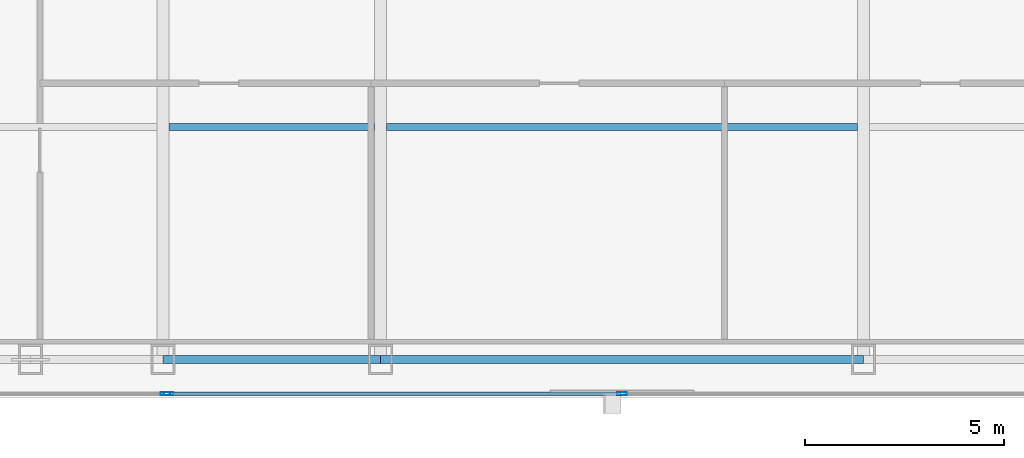
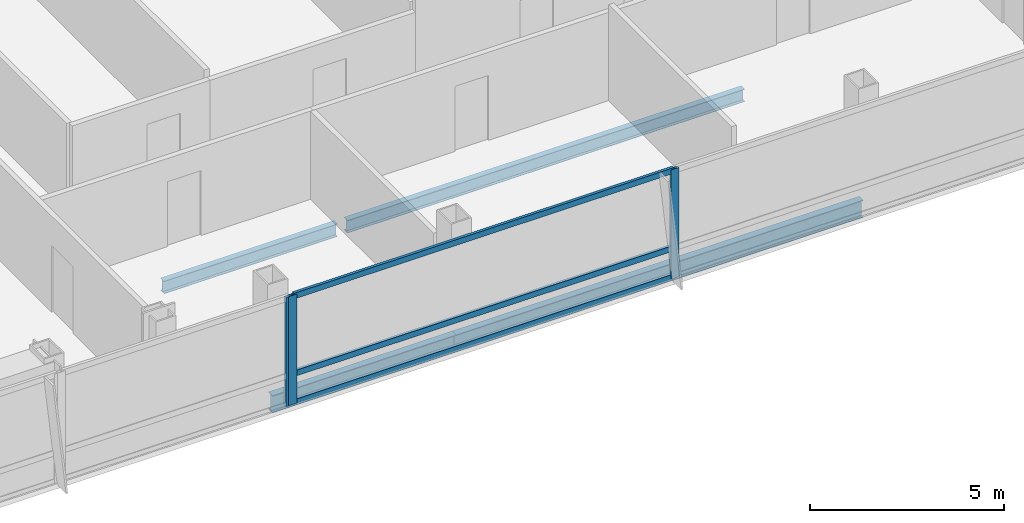
# One storey, part 7 of 26: 6 members, 4 beams, 2 elements without a shape of their own.
"""IFC4 building model written with IfcOpenShell, lengths in metres."""

from ifc_helpers import new_model, si_unit, direction, frame, origin, origin_2d, place, context, subcontext, project, spatial, hollow_rectangle, i_section, extrude, material, material_profile, profile_set, type_object, element, aggregate, save


model = new_model("IFC4")

# Units and contexts
model_context = context("Model", 3, precision=1e-05, world=origin(), true_north=direction((0.0, 1.0)))
body_context = subcontext(model_context, "Body", "Model", "MODEL_VIEW")
ifc_project = project(units=[si_unit("LENGTHUNIT", "METRE"), si_unit("AREAUNIT", "SQUARE_METRE"), si_unit("VOLUMEUNIT", "CUBIC_METRE"), si_unit("PLANEANGLEUNIT", "RADIAN"), si_unit("MASSUNIT", "GRAM", prefix="KILO")], contexts=[model_context])

# Site, building, storey
site_placement = place(None, origin())
site = spatial("IfcSite", under=ifc_project, at=site_placement, CompositionType="ELEMENT")
building_placement = place(site_placement, origin())
building = spatial("IfcBuilding", under=site, at=building_placement, Name="Khoronbel Lancet Exchange", CompositionType="ELEMENT")
storey_placement = place(building_placement, frame((0.0, 0.0, 287.800048828125)))
storey = spatial("IfcBuildingStorey", under=building, at=storey_placement, Name="L74", CompositionType="ELEMENT", Elevation=287.800048828125)

# Beams
ifc_material_1 = material(Name="Steel S355", Category="steel")
ifc_material_profile_1 = material_profile(ifc_material_1, i_section(OverallWidth=0.179931640625, OverallDepth=0.39990234375, WebThickness=0.008544921875, FlangeThickness=0.013427734375, at=origin_2d()), Name="IPE 400")
ifc_profile_set_1 = profile_set([ifc_material_profile_1], Name="Steel S355")
beam_type_1 = type_object("IfcBeamType", Name="BM-BJ5", PredefinedType="JOIST", material=ifc_profile_set_1)
beam_1_placement = place(storey_placement, frame((25.050048828125, 16.0, -0.360107421875), z_axis=(1.0, 0.0, 0.0), x_axis=(0.0, 1.0, 0.0)))
element("IfcBeam", 1, at=beam_1_placement, inside=storey, type_object=beam_type_1, Name="Level L74 secondary composite joist J02", PredefinedType="JOIST", context=body_context, shape_type="SweptSolid", body=[
    extrude(i_section(OverallWidth=0.179931640625, OverallDepth=0.39990234375, WebThickness=0.008544921875, FlangeThickness=0.013427734375, at=origin_2d()), origin(), (0.0, 0.0, 1.0), 5.175048828125),
])
beam_2_placement = place(storey_placement, frame((30.52490234375, 16.0, -0.360107421875), z_axis=(1.0, 0.0, 0.0), x_axis=(0.0, 1.0, 0.0)))
element("IfcBeam", 2, at=beam_2_placement, inside=storey, type_object=beam_type_1, Name="Level L74 secondary composite joist J03", PredefinedType="JOIST", context=body_context, shape_type="SweptSolid", body=[
    extrude(i_section(OverallWidth=0.179931640625, OverallDepth=0.39990234375, WebThickness=0.008544921875, FlangeThickness=0.013427734375, at=origin_2d()), origin(), (0.0, 0.0, 1.0), 11.85009765625),
])
ifc_material_profile_2 = material_profile(ifc_material_1, i_section(OverallWidth=0.2099609375, OverallDepth=0.550048828125, WebThickness=0.010986328125, FlangeThickness=0.01708984375, at=origin_2d()), Name="IPE 550")
ifc_profile_set_2 = profile_set([ifc_material_profile_2], Name="Steel S355")
beam_type_2 = type_object("IfcBeamType", Name="BM-BSP3", PredefinedType="SPANDREL", material=ifc_profile_set_2)
beam_3_placement = place(storey_placement, frame((24.89990234375, 10.14990234375, -0.43505859375), z_axis=(1.0, 0.0, 0.0), x_axis=(0.0, 1.0, 0.0)))
element("IfcBeam", 3, at=beam_3_placement, inside=storey, type_object=beam_type_2, Name="Level L74 perimeter spandrel beam SP04", PredefinedType="SPANDREL", context=body_context, shape_type="SweptSolid", body=[
    extrude(i_section(OverallWidth=0.2099609375, OverallDepth=0.550048828125, WebThickness=0.010986328125, FlangeThickness=0.01708984375, at=origin_2d()), origin(), (0.0, 0.0, 1.0), 5.47509765625),
])
beam_4_placement = place(storey_placement, frame((30.375, 10.14990234375, -0.43505859375), z_axis=(1.0, 0.0, 0.0), x_axis=(0.0, 1.0, 0.0)))
element("IfcBeam", 4, at=beam_4_placement, inside=storey, type_object=beam_type_2, Name="Level L74 perimeter spandrel beam SP05", PredefinedType="SPANDREL", context=body_context, shape_type="SweptSolid", body=[
    extrude(i_section(OverallWidth=0.2099609375, OverallDepth=0.550048828125, WebThickness=0.010986328125, FlangeThickness=0.01708984375, at=origin_2d()), origin(), (0.0, 0.0, 1.0), 12.14990234375),
])

# Curtain wall, member
ifc_material_2 = material(Name="Low-E Solar Control Insulating Glass", Category="glass")
curtain_wall_type = type_object("IfcCurtainWallType", Name="CW-3", PredefinedType="NOTDEFINED", material=ifc_material_2)
curtain_wall_1_placement = place(storey_placement, origin())
curtain_wall_1 = element("IfcCurtainWall", 5, at=curtain_wall_1_placement, inside=storey, type_object=curtain_wall_type, Name="Unitised curtain wall CW-L74-SWB", PredefinedType="NOTDEFINED")
ifc_material_3 = material(Name="Bronze-Anodised Aluminium 6063-T6", Category="aluminium")
ifc_material_profile_3 = material_profile(ifc_material_3, hollow_rectangle(XDim=0.0849609375, YDim=0.239990234375, WallThickness=0.006103515625, at=origin_2d()), Name="ALU MULLION 85x240")
ifc_profile_set_3 = profile_set([ifc_material_profile_3], Name="Bronze-Anodised Aluminium 6063-T6")
member_type_1 = type_object("IfcMemberType", Name="MEM-CWM1", PredefinedType="MULLION", material=ifc_profile_set_3)
member_1_placement = place(storey_placement, frame((24.95751953125, 9.2900390625, 0.0), z_axis=(0.0, 0.0, 1.0), x_axis=(0.0, 1.0, 0.0)))
member_1 = element("IfcMember", 6, at=member_1_placement, type_object=member_type_1, Name="CW3 mullion 2", PredefinedType="MULLION", context=body_context, shape_type="SweptSolid", body=[
    extrude(hollow_rectangle(XDim=0.0849609375, YDim=0.239990234375, WallThickness=0.006103515625, at=origin_2d()), origin(), (0.0, 0.0, 1.0), 3.43994140625),
])
aggregate(curtain_wall_1, [member_1])

# Curtain wall, members
curtain_wall_2_placement = place(storey_placement, origin())
curtain_wall_2 = element("IfcCurtainWall", 7, at=curtain_wall_2_placement, inside=storey, type_object=curtain_wall_type, Name="Unitised curtain wall CW-L74-SCV", PredefinedType="NOTDEFINED")
member_2_placement = place(storey_placement, frame((25.04248046875, 9.2900390625, 0.0), z_axis=(0.0, 0.0, 1.0), x_axis=(0.0, 1.0, 0.0)))
member_2 = element("IfcMember", 8, at=member_2_placement, type_object=member_type_1, Name="CW3 mullion 1", PredefinedType="MULLION", context=body_context, shape_type="SweptSolid", body=[
    extrude(hollow_rectangle(XDim=0.0849609375, YDim=0.239990234375, WallThickness=0.006103515625, at=origin_2d()), origin(), (0.0, 0.0, 1.0), 3.43994140625),
])
member_3_placement = place(storey_placement, frame((36.449951171875, 9.2900390625, 0.0), z_axis=(0.0, 0.0, 1.0), x_axis=(0.0, 1.0, 0.0)))
member_3 = element("IfcMember", 9, at=member_3_placement, type_object=member_type_1, Name="CW3 mullion 2", PredefinedType="MULLION", context=body_context, shape_type="SweptSolid", body=[
    extrude(hollow_rectangle(XDim=0.0849609375, YDim=0.239990234375, WallThickness=0.006103515625, at=origin_2d()), origin(), (0.0, 0.0, 1.0), 3.43994140625),
])
ifc_material_profile_4 = material_profile(ifc_material_3, hollow_rectangle(XDim=0.0849609375, YDim=0.179931640625, WallThickness=0.0048828125, at=origin_2d()), Name="ALU TRANSOM 85x180")
ifc_profile_set_4 = profile_set([ifc_material_profile_4], Name="Bronze-Anodised Aluminium 6063-T6")
member_type_2 = type_object("IfcMemberType", Name="MEM-CWT1", PredefinedType="USERDEFINED", material=ifc_profile_set_4)
member_4_placement = place(storey_placement, frame((25.0849609375, 9.2900390625, 0.04248046875), z_axis=(1.0, 0.0, 0.0), x_axis=(0.0, 1.0, 0.0)))
member_4 = element("IfcMember", 10, at=member_4_placement, type_object=member_type_2, Name="CW3 transom 1.1", ObjectType="TRANSOM", PredefinedType="USERDEFINED", context=body_context, shape_type="SweptSolid", body=[
    extrude(hollow_rectangle(XDim=0.0849609375, YDim=0.179931640625, WallThickness=0.0048828125, at=origin_2d()), origin(), (0.0, 0.0, 1.0), 11.322509765625),
])
member_5_placement = place(storey_placement, frame((25.0849609375, 9.2900390625, 0.949951171875), z_axis=(1.0, 0.0, 0.0), x_axis=(0.0, 1.0, 0.0)))
member_5 = element("IfcMember", 11, at=member_5_placement, type_object=member_type_2, Name="CW3 transom 1.2", ObjectType="TRANSOM", PredefinedType="USERDEFINED", context=body_context, shape_type="SweptSolid", body=[
    extrude(hollow_rectangle(XDim=0.0849609375, YDim=0.179931640625, WallThickness=0.0048828125, at=origin_2d()), origin(), (0.0, 0.0, 1.0), 11.322509765625),
])
member_6_placement = place(storey_placement, frame((25.0849609375, 9.2900390625, 3.3974609375), z_axis=(1.0, 0.0, 0.0), x_axis=(0.0, 1.0, 0.0)))
member_6 = element("IfcMember", 12, at=member_6_placement, type_object=member_type_2, Name="CW3 transom 1.3", ObjectType="TRANSOM", PredefinedType="USERDEFINED", context=body_context, shape_type="SweptSolid", body=[
    extrude(hollow_rectangle(XDim=0.0849609375, YDim=0.179931640625, WallThickness=0.0048828125, at=origin_2d()), origin(), (0.0, 0.0, 1.0), 11.322509765625),
])
aggregate(curtain_wall_2, [member_2, member_3, member_4, member_5, member_6])

save(model, "model.ifc")
